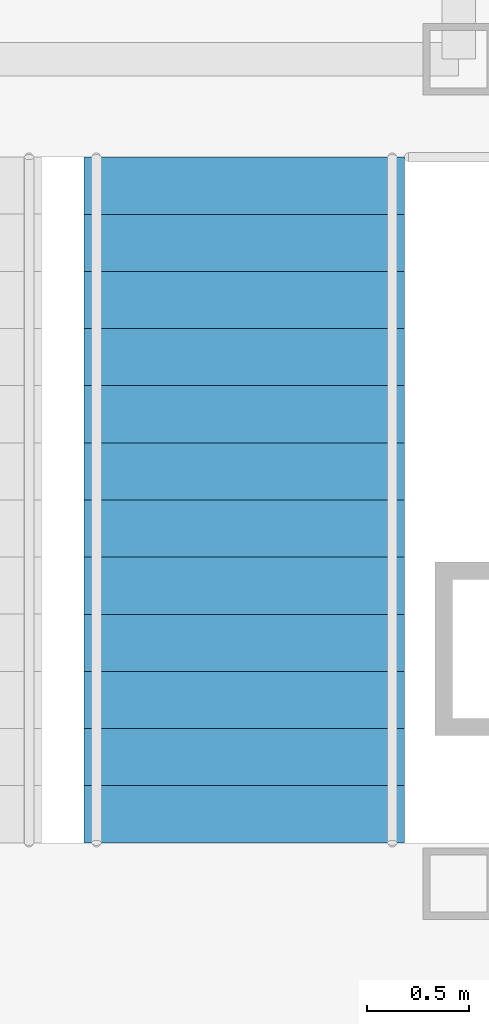
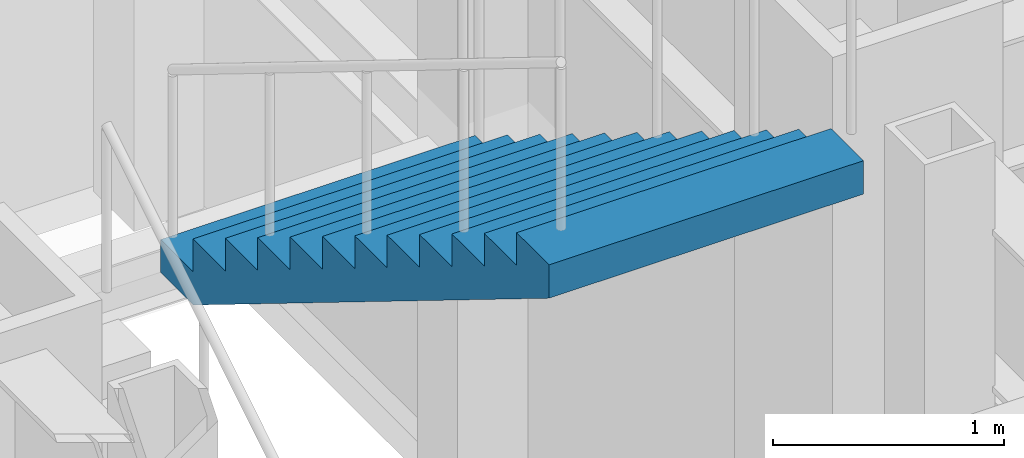
# One storey, part 13 of 17: 1 stair flight, 1 element without a shape of its own.
"""IFC4 building model written with IfcOpenShell, lengths in metres."""

from ifc_helpers import new_model, si_unit, direction, frame, origin, place, context, subcontext, project, spatial, faceted_brep, material, type_object, element, aggregate, save


model = new_model("IFC4")

# Units and contexts
model_context = context("Model", 3, precision=1e-05, world=origin(), true_north=direction((0.0, 1.0)))
body_context = subcontext(model_context, "Body", "Model", "MODEL_VIEW")
ifc_project = project(units=[si_unit("LENGTHUNIT", "METRE"), si_unit("AREAUNIT", "SQUARE_METRE"), si_unit("VOLUMEUNIT", "CUBIC_METRE"), si_unit("PLANEANGLEUNIT", "RADIAN"), si_unit("MASSUNIT", "GRAM", prefix="KILO")], contexts=[model_context])

# Site, building, storey
site_placement = place(None, origin())
site = spatial("IfcSite", under=ifc_project, at=site_placement, CompositionType="ELEMENT")
building_placement = place(site_placement, origin())
building = spatial("IfcBuilding", under=site, at=building_placement, Name="Chuquiago Exchange Tower", CompositionType="ELEMENT")
storey_placement = place(building_placement, frame((0.0, 0.0, 42.300048828125)))
storey = spatial("IfcBuildingStorey", under=building, at=storey_placement, Name="L08", CompositionType="ELEMENT", Elevation=42.300048828125)

# Stair, stair flight
ifc_material_1 = material(Name="Concrete C30/37, precast", Category="concrete")
stair_type = type_object("IfcStairType", Name="ST2 half-turn stair 4500", PredefinedType="HALF_TURN_STAIR", material=ifc_material_1)
stair_placement = place(storey_placement, origin())
stair = element("IfcStair", 1, at=stair_placement, inside=storey, type_object=stair_type, Name="Stair ST2 L08", PredefinedType="HALF_TURN_STAIR")
ifc_material_2 = material(Name="Concrete C30/37, precast", Category="concrete")
stair_flight_type = type_object("IfcStairFlightType", Name="ST-F flight 1570 for 4500 storey", PredefinedType="STRAIGHT", material=ifc_material_2)
stair_flight_placement = place(storey_placement, frame((31.639892578125, 26.409912109375, 2.25), z_axis=(0.0, 0.0, 1.0), x_axis=(0.0, -1.0, 0.0)))
stair_flight = element("IfcStairFlight", 2, at=stair_flight_placement, type_object=stair_flight_type, Name="ST2 flight 2", NumberOfRisers=13, NumberOfTreads=12, PredefinedType="STRAIGHT", RiserHeight=0.173076923, TreadLength=0.28, context=body_context, shape_type="Brep", body=[
    faceted_brep([(0.0, 0.78515625, 0.0), (0.0, 0.78515625, 0.173095703125), (0.280029296875, 0.78515625, 0.173095703125), (0.280029296875, 0.78515625, 0.34619140625), (0.56005859375, 0.78515625, 0.34619140625), (0.56005859375, 0.78515625, 0.519287109375), (0.840087890625, 0.78515625, 0.519287109375), (0.840087890625, 0.78515625, 0.6923828125), (1.1201171875, 0.78515625, 0.6923828125), (1.1201171875, 0.78515625, 0.865478515625), (1.39990234375, 0.78515625, 0.865478515625), (1.39990234375, 0.78515625, 1.03857421875), (1.679931640625, 0.78515625, 1.03857421875), (1.679931640625, 0.78515625, 1.21142578125), (1.9599609375, 0.78515625, 1.21142578125), (1.9599609375, 0.78515625, 1.384521484375), (2.239990234375, 0.78515625, 1.384521484375), (2.239990234375, 0.78515625, 1.5576171875), (2.52001953125, 0.78515625, 1.5576171875), (2.52001953125, 0.78515625, 1.730712890625), (2.800048828125, 0.78515625, 1.730712890625), (2.800048828125, 0.78515625, 1.90380859375), (3.080078125, 0.78515625, 1.90380859375), (3.080078125, 0.78515625, 2.076904296875), (3.360107421875, 0.78515625, 2.076904296875), (3.360107421875, 0.78515625, 1.900634765625), (0.28515625, 0.78515625, 0.0), (0.28515625, -0.78515625, 0.0), (3.360107421875, -0.78515625, 1.900634765625), (3.360107421875, -0.78515625, 2.076904296875), (3.080078125, -0.78515625, 2.076904296875), (3.080078125, -0.78515625, 1.90380859375), (2.800048828125, -0.78515625, 1.90380859375), (2.800048828125, -0.78515625, 1.730712890625), (2.52001953125, -0.78515625, 1.730712890625), (2.52001953125, -0.78515625, 1.5576171875), (2.239990234375, -0.78515625, 1.5576171875), (2.239990234375, -0.78515625, 1.384521484375), (1.9599609375, -0.78515625, 1.384521484375), (1.9599609375, -0.78515625, 1.21142578125), (1.679931640625, -0.78515625, 1.21142578125), (1.679931640625, -0.78515625, 1.03857421875), (1.39990234375, -0.78515625, 1.03857421875), (1.39990234375, -0.78515625, 0.865478515625), (1.1201171875, -0.78515625, 0.865478515625), (1.1201171875, -0.78515625, 0.6923828125), (0.840087890625, -0.78515625, 0.6923828125), (0.840087890625, -0.78515625, 0.519287109375), (0.56005859375, -0.78515625, 0.519287109375), (0.56005859375, -0.78515625, 0.34619140625), (0.280029296875, -0.78515625, 0.34619140625), (0.280029296875, -0.78515625, 0.173095703125), (0.0, -0.78515625, 0.173095703125), (0.0, -0.78515625, 0.0), (0.0, 0.392578125, 0.0), (0.0, 0.392578125, 0.173095703125), (0.0, 0.0, 0.0), (0.0, 0.0, 0.173095703125), (0.0, -0.392578125, 0.0), (0.0, -0.392578125, 0.173095703125), (0.280029296875, 0.392578125, 0.173095703125), (0.280029296875, 0.0, 0.173095703125), (0.280029296875, -0.392578125, 0.173095703125), (0.280029296875, 0.392578125, 0.34619140625), (0.280029296875, 0.0, 0.34619140625), (0.280029296875, -0.392578125, 0.34619140625), (0.56005859375, 0.392578125, 0.34619140625), (0.56005859375, 0.0, 0.34619140625), (0.56005859375, -0.392578125, 0.34619140625), (0.56005859375, 0.392578125, 0.519287109375), (0.56005859375, 0.0, 0.519287109375), (0.56005859375, -0.392578125, 0.519287109375), (0.840087890625, 0.392578125, 0.519287109375), (0.840087890625, 0.0, 0.519287109375), (0.840087890625, -0.392578125, 0.519287109375), (0.840087890625, 0.392578125, 0.6923828125), (0.840087890625, 0.0, 0.6923828125), (0.840087890625, -0.392578125, 0.6923828125), (1.1201171875, 0.392578125, 0.6923828125), (1.1201171875, 0.0, 0.6923828125), (1.1201171875, -0.392578125, 0.6923828125), (1.1201171875, 0.392578125, 0.865478515625), (1.1201171875, 0.0, 0.865478515625), (1.1201171875, -0.392578125, 0.865478515625), (1.39990234375, 0.392578125, 0.865478515625), (1.39990234375, 0.0, 0.865478515625), (1.39990234375, -0.392578125, 0.865478515625), (1.39990234375, 0.392578125, 1.03857421875), (1.39990234375, 0.0, 1.03857421875), (1.39990234375, -0.392578125, 1.03857421875), (1.679931640625, 0.392578125, 1.03857421875), (1.679931640625, 0.0, 1.03857421875), (1.679931640625, -0.392578125, 1.03857421875), (1.679931640625, 0.392578125, 1.21142578125), (1.679931640625, 0.0, 1.21142578125), (1.679931640625, -0.392578125, 1.21142578125), (1.9599609375, 0.392578125, 1.21142578125), (1.9599609375, 0.0, 1.21142578125), (1.9599609375, -0.392578125, 1.21142578125), (1.9599609375, 0.392578125, 1.384521484375), (1.9599609375, 0.0, 1.384521484375), (1.9599609375, -0.392578125, 1.384521484375), (2.239990234375, 0.392578125, 1.384521484375), (2.239990234375, 0.0, 1.384521484375), (2.239990234375, -0.392578125, 1.384521484375), (2.239990234375, 0.392578125, 1.5576171875), (2.239990234375, 0.0, 1.5576171875), (2.239990234375, -0.392578125, 1.5576171875), (2.52001953125, 0.392578125, 1.5576171875), (2.52001953125, 0.0, 1.5576171875), (2.52001953125, -0.392578125, 1.5576171875), (2.52001953125, 0.392578125, 1.730712890625), (2.52001953125, 0.0, 1.730712890625), (2.52001953125, -0.392578125, 1.730712890625), (2.800048828125, 0.392578125, 1.730712890625), (2.800048828125, 0.0, 1.730712890625), (2.800048828125, -0.392578125, 1.730712890625), (2.800048828125, 0.392578125, 1.90380859375), (2.800048828125, 0.0, 1.90380859375), (2.800048828125, -0.392578125, 1.90380859375), (3.080078125, 0.392578125, 1.90380859375), (3.080078125, 0.0, 1.90380859375), (3.080078125, -0.392578125, 1.90380859375), (3.080078125, 0.392578125, 2.076904296875), (3.080078125, 0.0, 2.076904296875), (3.080078125, -0.392578125, 2.076904296875), (3.360107421875, 0.392578125, 2.076904296875), (3.360107421875, 0.0, 2.076904296875), (3.360107421875, -0.392578125, 2.076904296875), (3.360107421875, 0.392578125, 1.900634765625), (3.360107421875, 0.0, 1.900634765625), (3.360107421875, -0.392578125, 1.900634765625), (0.28515625, 0.392578125, 0.0), (0.28515625, 0.0, 0.0), (0.28515625, -0.392578125, 0.0)], [[[0, 1, 2, 3, 4, 5, 6, 7, 8, 9, 10, 11, 12, 13, 14, 15, 16, 17, 18, 19, 20, 21, 22, 23, 24, 25, 26]], [[27, 28, 29, 30, 31, 32, 33, 34, 35, 36, 37, 38, 39, 40, 41, 42, 43, 44, 45, 46, 47, 48, 49, 50, 51, 52, 53]], [[1, 0, 54, 55]], [[55, 54, 56, 57]], [[57, 56, 58, 59]], [[59, 58, 53, 52]], [[2, 1, 55, 60]], [[60, 55, 57, 61]], [[61, 57, 59, 62]], [[62, 59, 52, 51]], [[3, 2, 60, 63]], [[63, 60, 61, 64]], [[64, 61, 62, 65]], [[65, 62, 51, 50]], [[4, 3, 63, 66]], [[66, 63, 64, 67]], [[67, 64, 65, 68]], [[68, 65, 50, 49]], [[5, 4, 66, 69]], [[69, 66, 67, 70]], [[70, 67, 68, 71]], [[71, 68, 49, 48]], [[6, 5, 69, 72]], [[72, 69, 70, 73]], [[73, 70, 71, 74]], [[74, 71, 48, 47]], [[7, 6, 72, 75]], [[75, 72, 73, 76]], [[76, 73, 74, 77]], [[77, 74, 47, 46]], [[8, 7, 75, 78]], [[78, 75, 76, 79]], [[79, 76, 77, 80]], [[80, 77, 46, 45]], [[9, 8, 78, 81]], [[81, 78, 79, 82]], [[82, 79, 80, 83]], [[83, 80, 45, 44]], [[10, 9, 81, 84]], [[84, 81, 82, 85]], [[85, 82, 83, 86]], [[86, 83, 44, 43]], [[11, 10, 84, 87]], [[87, 84, 85, 88]], [[88, 85, 86, 89]], [[89, 86, 43, 42]], [[12, 11, 87, 90]], [[90, 87, 88, 91]], [[91, 88, 89, 92]], [[92, 89, 42, 41]], [[13, 12, 90, 93]], [[93, 90, 91, 94]], [[94, 91, 92, 95]], [[95, 92, 41, 40]], [[14, 13, 93, 96]], [[96, 93, 94, 97]], [[97, 94, 95, 98]], [[98, 95, 40, 39]], [[15, 14, 96, 99]], [[99, 96, 97, 100]], [[100, 97, 98, 101]], [[101, 98, 39, 38]], [[16, 15, 99, 102]], [[102, 99, 100, 103]], [[103, 100, 101, 104]], [[104, 101, 38, 37]], [[17, 16, 102, 105]], [[105, 102, 103, 106]], [[106, 103, 104, 107]], [[107, 104, 37, 36]], [[18, 17, 105, 108]], [[108, 105, 106, 109]], [[109, 106, 107, 110]], [[110, 107, 36, 35]], [[19, 18, 108, 111]], [[111, 108, 109, 112]], [[112, 109, 110, 113]], [[113, 110, 35, 34]], [[20, 19, 111, 114]], [[114, 111, 112, 115]], [[115, 112, 113, 116]], [[116, 113, 34, 33]], [[21, 20, 114, 117]], [[117, 114, 115, 118]], [[118, 115, 116, 119]], [[119, 116, 33, 32]], [[22, 21, 117, 120]], [[120, 117, 118, 121]], [[121, 118, 119, 122]], [[122, 119, 32, 31]], [[23, 22, 120, 123]], [[123, 120, 121, 124]], [[124, 121, 122, 125]], [[125, 122, 31, 30]], [[24, 23, 123, 126]], [[126, 123, 124, 127]], [[127, 124, 125, 128]], [[128, 125, 30, 29]], [[25, 24, 126, 129]], [[129, 126, 127, 130]], [[130, 127, 128, 131]], [[131, 128, 29, 28]], [[26, 25, 129, 132]], [[132, 129, 130, 133]], [[133, 130, 131, 134]], [[134, 131, 28, 27]], [[0, 26, 132, 54]], [[54, 132, 133, 56]], [[56, 133, 134, 58]], [[58, 134, 27, 53]]]),
])
aggregate(stair, [stair_flight])

save(model, "model.ifc")
